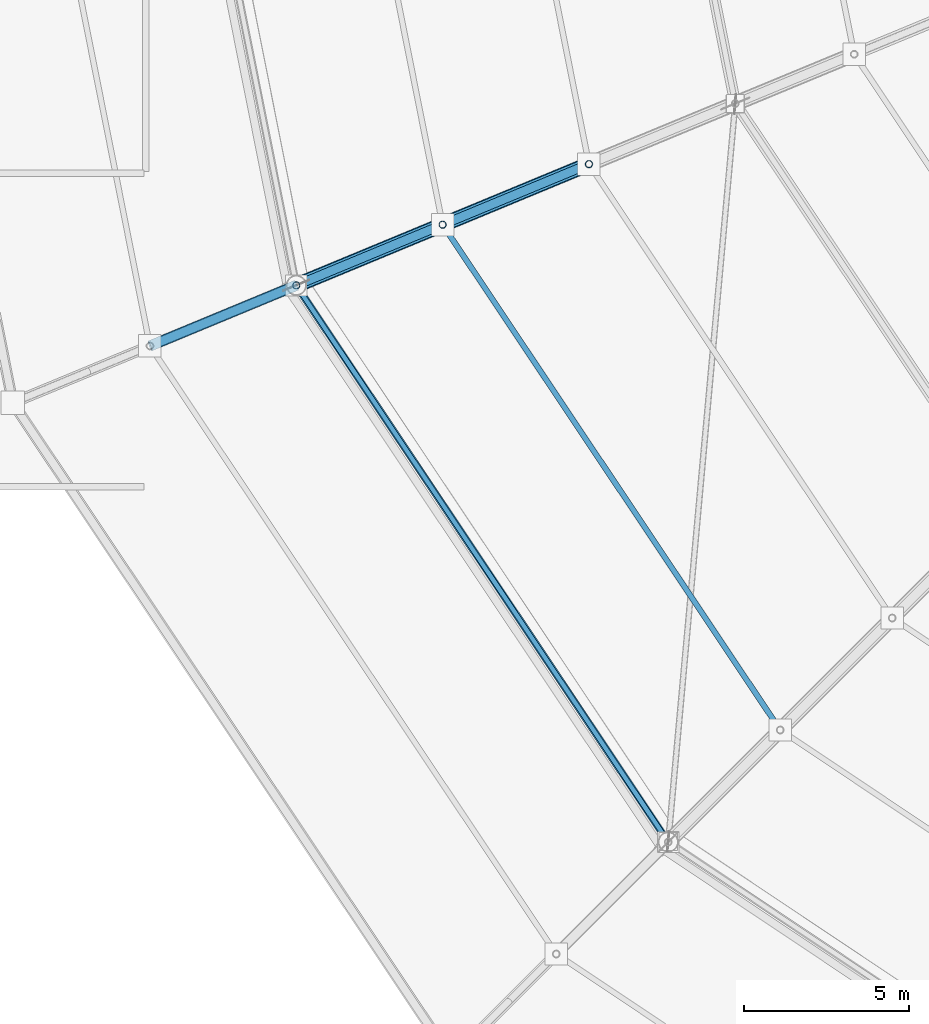
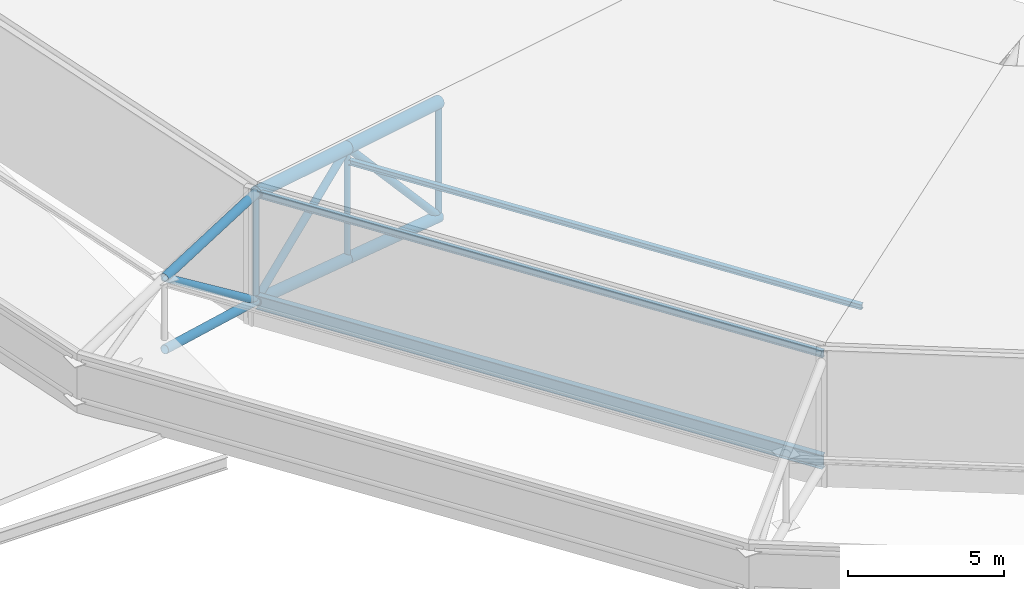
# One storey, part 21 of 146: 13 members, 2 beams.
"""IFC4 building model written with IfcOpenShell, lengths in metres."""

from ifc_helpers import new_model, si_unit, direction, frame, origin, origin_2d, place, context, subcontext, project, spatial, hollow_circle, i_section, extrude, material, material_profile, profile_set, type_object, element, save


model = new_model("IFC4")

# Units and contexts
model_context = context("Model", 3, precision=1e-05, world=origin(), true_north=direction((0.0, 1.0)))
body_context = subcontext(model_context, "Body", "Model", "MODEL_VIEW")
ifc_project = project(units=[si_unit("LENGTHUNIT", "METRE"), si_unit("AREAUNIT", "SQUARE_METRE"), si_unit("VOLUMEUNIT", "CUBIC_METRE"), si_unit("PLANEANGLEUNIT", "RADIAN"), si_unit("MASSUNIT", "GRAM", prefix="KILO")], contexts=[model_context])

# Site, building, storey
site_placement = place(None, origin())
site = spatial("IfcSite", under=ifc_project, at=site_placement, CompositionType="ELEMENT")
building_placement = place(site_placement, origin())
building = spatial("IfcBuilding", under=site, at=building_placement, Name="Candeia Ridge Stadium", CompositionType="ELEMENT")
storey_placement = place(building_placement, frame((0.0, 0.0, 31.800048828125)))
storey = spatial("IfcBuildingStorey", under=building, at=storey_placement, Name="RF", CompositionType="ELEMENT", Elevation=31.800048828125)

# Beams
ifc_material = material(Name="Steel ASTM A572 Grade 50", Category="steel")
ifc_material_profile_1 = material_profile(ifc_material, i_section(OverallWidth=0.14794921875, OverallDepth=0.26611328125, WebThickness=0.007568359375, FlangeThickness=0.012939453125, FilletRadius=0.010986328125, at=origin_2d()), Name="W250x44.8", Category="steel")
ifc_profile_set_1 = profile_set([ifc_material_profile_1], Name="Steel ASTM A572 Grade 50")
beam_type_1 = type_object("IfcBeamType", Name="Canopy Edge Spandrel W250x44.8", PredefinedType="SPANDREL", material=ifc_profile_set_1)
beam_1_placement = place(storey_placement, frame((22.98046875, 51.067138671875, 4.599853515625), z_axis=(0.555572478713, -0.831468111774, 0.0), x_axis=(0.831468111774, 0.555572478713, 0.0)))
element("IfcBeam", 1, at=beam_1_placement, inside=storey, type_object=beam_type_1, Name="Roof crown cap ring beam bay 16", PredefinedType="SPANDREL", context=body_context, shape_type="SweptSolid", body=[
    extrude(i_section(OverallWidth=0.14794921875, OverallDepth=0.26611328125, WebThickness=0.007568359375, FlangeThickness=0.012939453125, FilletRadius=0.010986328125, at=origin_2d()), origin(), (0.0, 0.0, 1.0), 20.20947265625),
])
ifc_material_profile_2 = material_profile(ifc_material, i_section(OverallWidth=0.2119140625, OverallDepth=0.5439453125, WebThickness=0.01318359375, FlangeThickness=0.021240234375, FilletRadius=0.013916015625, at=origin_2d()), Name="W530x123", Category="steel")
ifc_profile_set_2 = profile_set([ifc_material_profile_2], Name="Steel ASTM A572 Grade 50")
beam_type_2 = type_object("IfcBeamType", Name="Roof Perimeter Ring Beam W530x123", PredefinedType="BEAM", material=ifc_profile_set_2)
beam_2_placement = place(storey_placement, frame((22.98046875, 51.067138671875, 0.39990234375), z_axis=(0.555572478713, -0.831468111774, 0.0), x_axis=(0.831468111774, 0.555572478713, 0.0)))
element("IfcBeam", 2, at=beam_2_placement, inside=storey, type_object=beam_type_2, Name="Roof perimeter ring beam bay 16", PredefinedType="BEAM", context=body_context, shape_type="SweptSolid", body=[
    extrude(i_section(OverallWidth=0.2119140625, OverallDepth=0.5439453125, WebThickness=0.01318359375, FlangeThickness=0.021240234375, FilletRadius=0.013916015625, at=origin_2d()), origin(), (0.0, 0.0, 1.0), 20.20947265625),
])

# Members
ifc_material_profile_3 = material_profile(ifc_material, i_section(OverallWidth=0.1650390625, OverallDepth=0.200927734375, WebThickness=0.006103515625, FlangeThickness=0.01025390625, FilletRadius=0.010009765625, at=origin_2d()), Name="W200x35.9", Category="steel")
ifc_profile_set_3 = profile_set([ifc_material_profile_3], Name="Steel ASTM A572 Grade 50")
member_type_1 = type_object("IfcMemberType", Name="Roof Purlin W200x35.9", PredefinedType="PURLIN", material=ifc_profile_set_3)
member_1_placement = place(storey_placement, frame((27.420654296875, 52.895751953125, 3.19189453125), z_axis=(0.555564228489, -0.83147362437, 0.0), x_axis=(0.83147362437, 0.555564228489, 0.0)))
element("IfcMember", 3, at=member_1_placement, inside=storey, type_object=member_type_1, Name="Saddle roof steel purlin bay 16-4", PredefinedType="PURLIN", context=body_context, shape_type="SweptSolid", body=[
    extrude(i_section(OverallWidth=0.1650390625, OverallDepth=0.200927734375, WebThickness=0.006103515625, FlangeThickness=0.01025390625, FilletRadius=0.010009765625, at=origin_2d()), origin(), (0.0, 0.0, 1.0), 18.316650390625),
])
ifc_material_profile_4 = material_profile(ifc_material, hollow_circle(Radius=0.161865234375, WallThickness=0.012451171875, at=origin_2d()), Name="CHS323x12", Category="steel")
ifc_profile_set_4 = profile_set([ifc_material_profile_4], Name="Steel ASTM A572 Grade 50")
member_type_2 = type_object("IfcMemberType", Name="Roof Truss Eaves Chord CHS323x12", PredefinedType="CHORD", material=ifc_profile_set_4)
member_2_placement = place(storey_placement, frame((22.958251953125, 51.100341796875, 4.599853515625), z_axis=(-0.915748479885, -0.379276360613, -0.132492127568), x_axis=(0.382649779007, -0.923893471471, 0.0)))
element("IfcMember", 4, at=member_2_placement, inside=storey, type_object=member_type_2, Name="Roof cantilever truss RT-16 top chord 7", PredefinedType="CHORD", context=body_context, shape_type="SweptSolid", body=[
    extrude(hollow_circle(Radius=0.161865234375, WallThickness=0.012451171875, at=origin_2d()), origin(), (0.0, 0.0, 1.0), 4.842529296875),
])
member_3_placement = place(storey_placement, frame((22.958251953125, 51.100341796875, 0.39990234375), z_axis=(-0.91276056344, -0.378038852607, 0.154773317298), x_axis=(0.382649779007, -0.923893471471, 0.0)))
element("IfcMember", 5, at=member_3_placement, inside=storey, type_object=member_type_2, Name="Roof cantilever truss RT-16 bottom chord 7", PredefinedType="CHORD", context=body_context, shape_type="SweptSolid", body=[
    extrude(hollow_circle(Radius=0.161865234375, WallThickness=0.012451171875, at=origin_2d()), origin(), (0.0, 0.0, 1.0), 4.8583984375),
])
ifc_material_profile_5 = material_profile(ifc_material, hollow_circle(Radius=0.136474609375, WallThickness=0.010009765625, at=origin_2d()), Name="CHS273x10", Category="steel")
ifc_profile_set_5 = profile_set([ifc_material_profile_5], Name="Steel ASTM A572 Grade 50")
member_type_3 = type_object("IfcMemberType", Name="Roof Truss Heavy Web Brace CHS273x10", PredefinedType="BRACE", material=ifc_profile_set_5)
member_4_placement = place(storey_placement, frame((31.827392578125, 54.774169921875, -1.642822265625), z_axis=(-0.616669163197, -0.255440364672, 0.744626996058), x_axis=(0.382693194178, -0.923875488976, 0.0)))
element("IfcMember", 6, at=member_4_placement, inside=storey, type_object=member_type_3, Name="Roof cantilever truss RT-16 diagonal web 5", PredefinedType="BRACE", context=body_context, shape_type="SweptSolid", body=[
    extrude(hollow_circle(Radius=0.136474609375, WallThickness=0.010009765625, at=origin_2d()), origin(), (0.0, 0.0, 1.0), 7.191162109375),
])
member_5_placement = place(storey_placement, frame((27.392822265625, 52.937255859375, 3.7119140625), z_axis=(-0.760420904644, -0.314986065103, -0.567929420414), x_axis=(0.382693194178, -0.923875488976, 0.0)))
element("IfcMember", 7, at=member_5_placement, inside=storey, type_object=member_type_3, Name="Roof cantilever truss RT-16 diagonal web 6", PredefinedType="BRACE", context=body_context, shape_type="SweptSolid", body=[
    extrude(hollow_circle(Radius=0.136474609375, WallThickness=0.010009765625, at=origin_2d()), origin(), (0.0, 0.0, 1.0), 5.831787109375),
])
member_6_placement = place(storey_placement, frame((22.958251953125, 51.100341796875, 0.39990234375), z_axis=(-0.742187529095, -0.307392467594, 0.595539706923), x_axis=(0.382649779007, -0.923893471471, 0.0)))
element("IfcMember", 8, at=member_6_placement, inside=storey, type_object=member_type_3, Name="Roof cantilever truss RT-16 diagonal web 7", PredefinedType="BRACE", context=body_context, shape_type="SweptSolid", body=[
    extrude(hollow_circle(Radius=0.136474609375, WallThickness=0.010009765625, at=origin_2d()), origin(), (0.0, 0.0, 1.0), 5.97509765625),
])
ifc_material_profile_6 = material_profile(ifc_material, hollow_circle(Radius=0.109619140625, WallThickness=0.010009765625, at=origin_2d()), Name="CHS219x10", Category="steel")
ifc_profile_set_6 = profile_set([ifc_material_profile_6], Name="Steel ASTM A572 Grade 50")
member_type_4 = type_object("IfcMemberType", Name="Roof Truss Inner Web Brace CHS219x10", PredefinedType="BRACE", material=ifc_profile_set_6)
member_7_placement = place(storey_placement, frame((31.827392578125, 54.774169921875, -1.642822265625), z_axis=(0.0, 0.0, 1.0), x_axis=(1.0, 0.0, 0.0)))
element("IfcMember", 9, at=member_7_placement, inside=storey, type_object=member_type_4, Name="Roof cantilever truss RT-16 vertical post 4", PredefinedType="BRACE", context=body_context, shape_type="SweptSolid", body=[
    extrude(hollow_circle(Radius=0.109619140625, WallThickness=0.010009765625, at=origin_2d()), origin(), (0.0, 0.0, 1.0), 4.466796875),
])
member_8_placement = place(storey_placement, frame((27.392822265625, 52.937255859375, -0.621337890625), z_axis=(0.0, 0.0, 1.0), x_axis=(1.0, 0.0, 0.0)))
element("IfcMember", 10, at=member_8_placement, inside=storey, type_object=member_type_4, Name="Roof cantilever truss RT-16 vertical post 5", PredefinedType="BRACE", context=body_context, shape_type="SweptSolid", body=[
    extrude(hollow_circle(Radius=0.109619140625, WallThickness=0.010009765625, at=origin_2d()), origin(), (0.0, 0.0, 1.0), 4.333251953125),
])
member_9_placement = place(storey_placement, frame((22.958251953125, 51.100341796875, 0.39990234375), z_axis=(0.0, 0.0, 1.0), x_axis=(1.0, 0.0, 0.0)))
element("IfcMember", 11, at=member_9_placement, inside=storey, type_object=member_type_4, Name="Roof cantilever truss RT-16 vertical post 6", PredefinedType="BRACE", context=body_context, shape_type="SweptSolid", body=[
    extrude(hollow_circle(Radius=0.109619140625, WallThickness=0.010009765625, at=origin_2d()), origin(), (0.0, 0.0, 1.0), 4.199951171875),
])
ifc_material_profile_7 = material_profile(ifc_material, hollow_circle(Radius=0.228515625, WallThickness=0.02001953125, at=origin_2d()), Name="CHS457x20", Category="steel")
ifc_profile_set_7 = profile_set([ifc_material_profile_7], Name="Steel ASTM A572 Grade 50")
member_type_5 = type_object("IfcMemberType", Name="Roof Truss Main Chord CHS457x20", PredefinedType="CHORD", material=ifc_profile_set_7)
for number, where, z_axis, x_axis, name in (
    (12, (31.827392578125, 54.774169921875, 2.823974609375), (-0.908462082556, -0.376308561394, 0.181902477112), (0.382693194178, -0.923875488976, 0.0), "Roof cantilever truss RT-16 top chord 5"),
    (13, (27.392822265625, 52.937255859375, 3.7119140625), (-0.908462082556, -0.376308561394, 0.181902477112), (0.382693194178, -0.923875488976, 0.0), "Roof cantilever truss RT-16 top chord 6"),
):
    element("IfcMember", number, at=place(storey_placement, frame(where, z_axis=z_axis, x_axis=x_axis)), inside=storey, type_object=member_type_5, Name=name, PredefinedType="CHORD", context=body_context, shape_type="SweptSolid", body=[
        extrude(hollow_circle(Radius=0.228515625, WallThickness=0.02001953125, at=origin_2d()), origin(), (0.0, 0.0, 1.0), 4.88134765625),
    ])
ifc_material_profile_8 = material_profile(ifc_material, hollow_circle(Radius=0.202880859375, WallThickness=0.01611328125, at=origin_2d()), Name="CHS406x16", Category="steel")
ifc_profile_set_8 = profile_set([ifc_material_profile_8], Name="Steel ASTM A572 Grade 50")
member_type_6 = type_object("IfcMemberType", Name="Roof Truss Outer Chord CHS406x16", PredefinedType="CHORD", material=ifc_profile_set_8)
for number, where, z_axis, x_axis, name in (
    (14, (31.827392578125, 54.774169921875, -1.642822265625), (-0.903639847666, -0.374311066606, 0.208149588341), (0.382693194178, -0.923875488976, 0.0), "Roof cantilever truss RT-16 bottom chord 5"),
    (15, (27.392822265625, 52.937255859375, -0.621337890625), (-0.903649204085, -0.374314942278, 0.208101994092), (0.382693194178, -0.923875488976, 0.0), "Roof cantilever truss RT-16 bottom chord 6"),
):
    element("IfcMember", number, at=place(storey_placement, frame(where, z_axis=z_axis, x_axis=x_axis)), inside=storey, type_object=member_type_6, Name=name, PredefinedType="CHORD", context=body_context, shape_type="SweptSolid", body=[
        extrude(hollow_circle(Radius=0.202880859375, WallThickness=0.01611328125, at=origin_2d()), origin(), (0.0, 0.0, 1.0), 4.907470703125),
    ])

save(model, "model.ifc")
